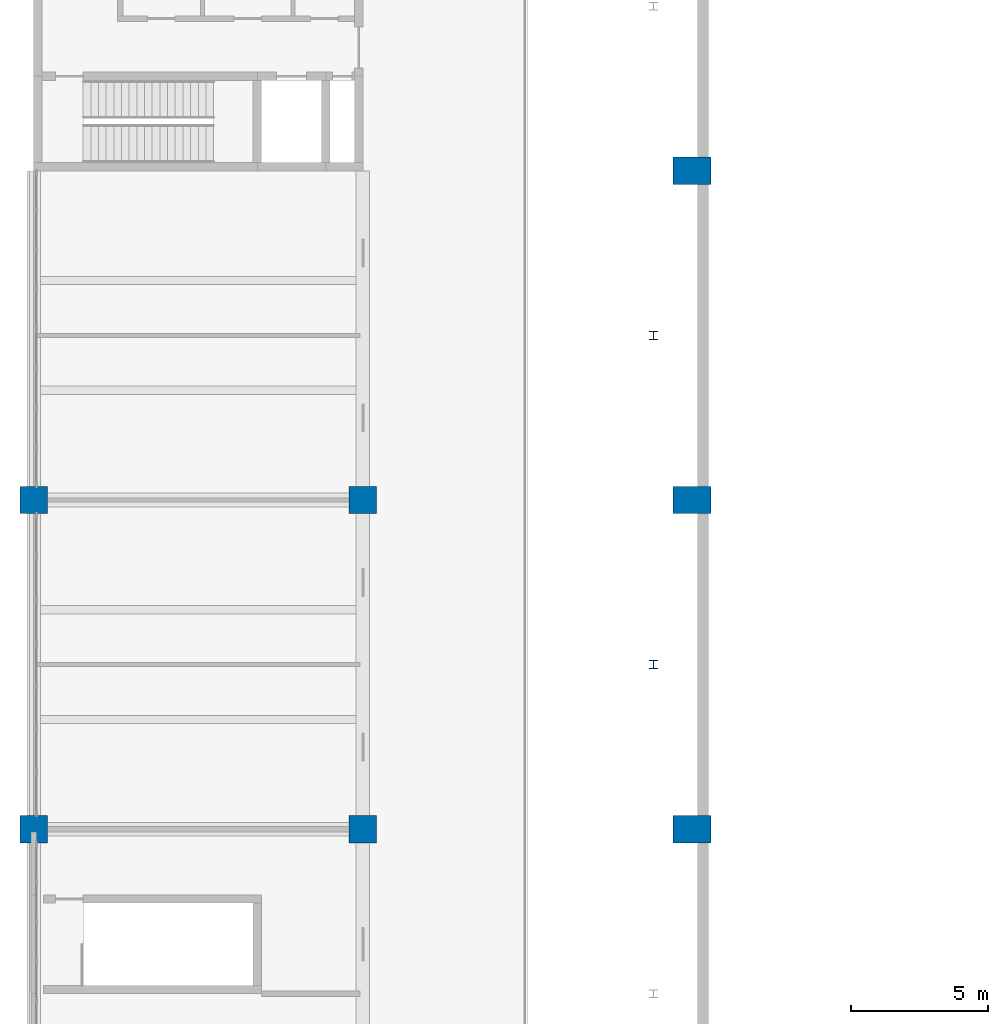
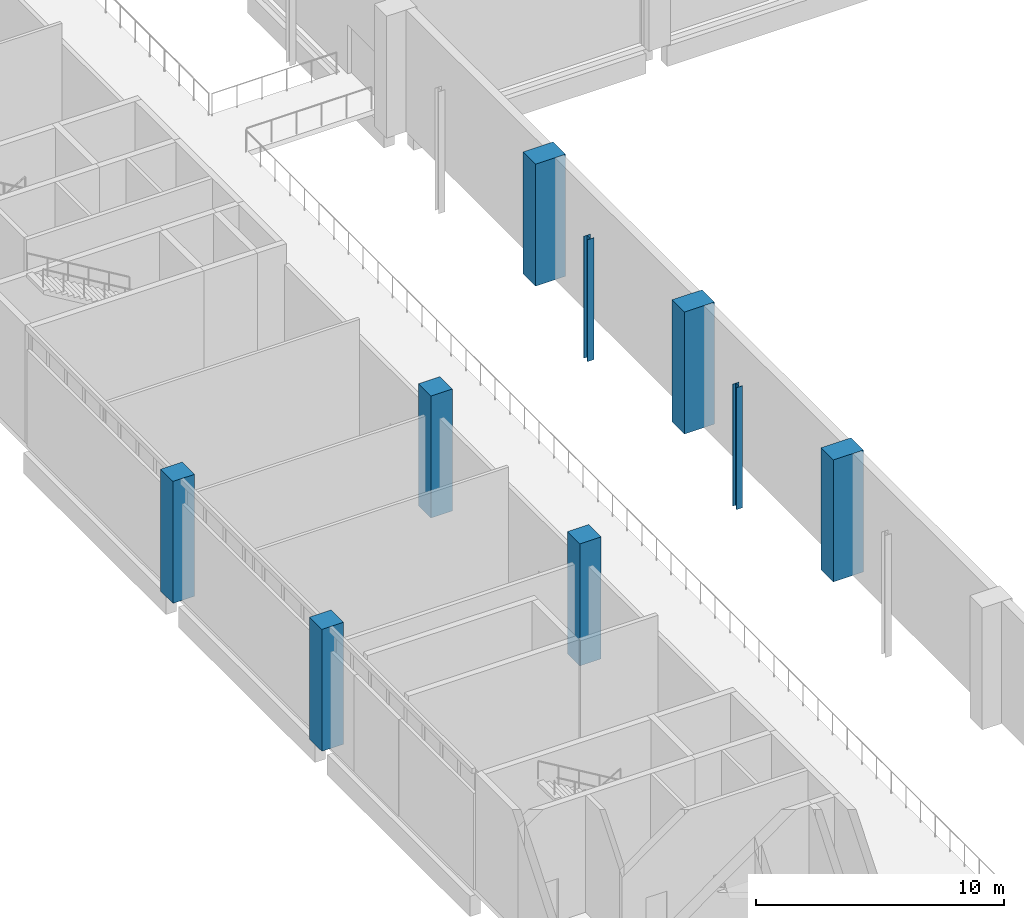
# One storey, part 2 of 72: 9 columns.
"""IFC4 building model written with IfcOpenShell, lengths in metres."""

import ifcopenshell
import ifcopenshell.guid

model = None  # the IFC model being written
_history = None  # IfcOwnerHistory: only IFC2X3 demands one
_inside = {}  # id of a spatial element -> (the spatial element, [elements in it])
_under = {}  # id of a project, library or spatial element -> (it, [spatial elements below it])
_declared = {}  # id of a project -> (the project, [libraries it declares])
_typed = {}  # id of a type object -> (the type object, [elements of that type])
_made_of = {}  # id of a material, layer set ... -> (it, [elements and type objects made of it])


def new_model(schema):
    """Start an empty IFC model of exactly this schema.

    Asked for "IFC4X3", IfcOpenShell would pick the latest addendum, in which some entities
    have other attributes; the version numbers below select the first issue.
    IFC2X3 requires an IfcOwnerHistory on every rooted entity: one is made here for all.
    """
    global model, _history
    if schema == "IFC4X3":
        model = ifcopenshell.file(schema_version=(4, 3, 0, 0))
    else:
        model = ifcopenshell.file(schema=schema)
    _inside.clear()
    _under.clear()
    _declared.clear()
    _typed.clear()
    _made_of.clear()
    _history = None
    if model.schema == "IFC2X3":
        org = make("IfcOrganization", Name="unknown")
        user = make(
            "IfcPersonAndOrganization",
            ThePerson=make("IfcPerson", FamilyName="unknown"),
            TheOrganization=org,
        )
        app = make(
            "IfcApplication",
            ApplicationDeveloper=org,
            Version="unknown",
            ApplicationFullName="unknown",
            ApplicationIdentifier="unknown",
        )
        _history = make(
            "IfcOwnerHistory",
            OwningUser=user,
            OwningApplication=app,
            ChangeAction="ADDED",
            CreationDate=0,
        )
    return model


def make(cls, **values):
    """One entity of the class cls with the attributes given. An attribute that is None is left unset."""
    return model.create_entity(
        cls, **{name: value for name, value in values.items() if value is not None}
    )


def rooted(cls, **values):
    """An entity with a GlobalId (a new one), such as an element, a storey or a relation."""
    return make(cls, GlobalId=ifcopenshell.guid.new(), OwnerHistory=_history, **values)


def si_unit(unit_type, name, prefix=None):
    """IfcSIUnit, for example si_unit("LENGTHUNIT", "METRE", prefix="MILLI")."""
    return make("IfcSIUnit", UnitType=unit_type, Prefix=prefix, Name=name)


def assignment(units):
    """IfcUnitAssignment: the units of a project."""
    return None if units is None else make("IfcUnitAssignment", Units=units)


def point(xyz):
    """IfcCartesianPoint."""
    return None if xyz is None else make("IfcCartesianPoint", Coordinates=xyz)


def direction(xyz):
    """IfcDirection."""
    return None if xyz is None else make("IfcDirection", DirectionRatios=xyz)


def frame(location, z_axis=None, x_axis=None):
    """IfcAxis2Placement3D, a coordinate frame: its origin and axes. An axis left out is left unset."""
    return make(
        "IfcAxis2Placement3D",
        Location=point(location),
        Axis=direction(z_axis),
        RefDirection=direction(x_axis),
    )


def frame_2d(location, x_axis=None):
    """IfcAxis2Placement2D, a coordinate frame in the plane: its origin and x axis."""
    return make(
        "IfcAxis2Placement2D", Location=point(location), RefDirection=direction(x_axis)
    )


def origin():
    """The frame at (0, 0, 0) with its axes left unset."""
    return frame((0.0, 0.0, 0.0))


def origin_2d():
    """The frame at (0, 0) in the plane with its x axis left unset."""
    return frame_2d((0.0, 0.0))


def place(relative_to, where):
    """IfcLocalPlacement: puts the frame where relative to a parent placement (None: the world)."""
    return make(
        "IfcLocalPlacement", PlacementRelTo=relative_to, RelativePlacement=where
    )


def context(
    kind, dimensions, precision=None, world=None, true_north=None, identifier=None
):
    """IfcGeometricRepresentationContext, for example the 3D "Model" context."""
    return make(
        "IfcGeometricRepresentationContext",
        ContextIdentifier=identifier,
        ContextType=kind,
        CoordinateSpaceDimension=dimensions,
        Precision=precision,
        WorldCoordinateSystem=world,
        TrueNorth=true_north,
    )


def subcontext(parent, identifier, kind, view, scale=None):
    """IfcGeometricRepresentationSubContext, for example "Body" below "Model"."""
    return make(
        "IfcGeometricRepresentationSubContext",
        ContextIdentifier=identifier,
        ContextType=kind,
        ParentContext=parent,
        TargetScale=scale,
        TargetView=view,
    )


def project(units=None, contexts=None):
    """IfcProject with its units and contexts."""
    return rooted(
        "IfcProject",
        Name="project",
        RepresentationContexts=contexts,
        UnitsInContext=assignment(units),
    )


def spatial(cls, under=None, at=None, **own):
    """A site, building, storey or space (cls), placed at a placement, below another one or the project."""
    s = rooted(cls, ObjectPlacement=at, **own)
    if under is not None:
        _under.setdefault(under.id(), (under, []))[1].append(s)
    return s


def profile(cls, at=None, kind="AREA", **sizes):
    """A parametric profile (cls). Its sizes go by their IFC names, for example OverallWidth=200.0."""
    return make(cls, ProfileType=kind, Position=at, **sizes)


def rectangle(**sizes):
    """IfcRectangleProfileDef."""
    return profile("IfcRectangleProfileDef", **sizes)


def i_section(**sizes):
    """IfcIShapeProfileDef."""
    return profile("IfcIShapeProfileDef", **sizes)


def extrude(swept, where, along, depth):
    """IfcExtrudedAreaSolid: the profile swept, set in the frame where, extruded along a direction by depth."""
    return make(
        "IfcExtrudedAreaSolid",
        SweptArea=swept,
        Position=where,
        ExtrudedDirection=direction(along),
        Depth=depth,
    )


def shape(context_of_items, identifier, shape_type, items):
    """IfcShapeRepresentation: the items that make up one representation, for example the "Body"."""
    return make(
        "IfcShapeRepresentation",
        ContextOfItems=context_of_items,
        RepresentationIdentifier=identifier,
        RepresentationType=shape_type,
        Items=items,
    )


def material(Name=None, Category=None):
    """IfcMaterial."""
    return make("IfcMaterial", Name=Name, Category=Category)


def material_profile(
    of_material, cross_section, Name=None, Category=None, Priority=None
):
    """IfcMaterialProfile: a cross section and its material."""
    return make(
        "IfcMaterialProfile",
        Name=Name,
        Material=of_material,
        Profile=cross_section,
        Priority=Priority,
        Category=Category,
    )


def profile_set(profiles, Name=None, composite=None):
    """IfcMaterialProfileSet."""
    return make(
        "IfcMaterialProfileSet",
        Name=Name,
        MaterialProfiles=profiles,
        CompositeProfile=composite,
    )


def made_of(thing, what):
    """Note that an element or type object is made of a material, layer set ...; save() writes the relation."""
    if what is not None:
        _made_of.setdefault(what.id(), (what, []))[1].append(thing)
    return thing


def type_object(cls, material=None, **own):
    """A type object (cls), such as IfcWallType, which elements share."""
    return made_of(rooted(cls, **own), material)


def element(
    cls,
    number,
    at=None,
    inside=None,
    cuts=None,
    type_object=None,
    material=None,
    context=None,
    identifier="Body",
    shape_type=None,
    held_by="IfcProductDefinitionShape",
    body=None,
    shapes=None,
    **own,
):
    """One element of the class cls, such as IfcWall. Its Tag is "e" and its number.

    at: its placement. inside: the storey or other place that contains it. cuts: it is an
    opening in that element (IfcRelVoidsElement). A single representation is given by context,
    identifier, shape_type and body (its items); several are given by shapes. held_by: the class
    of the entity that holds the representations. save() writes the other relations.
    """
    e = rooted(cls, Tag="e%d" % number, ObjectPlacement=at, **own)
    if body is not None:
        shapes = [shape(context, identifier, shape_type, body)]
    if shapes is not None:
        e.Representation = make(held_by, Representations=shapes)
    if inside is not None:
        _inside.setdefault(inside.id(), (inside, []))[1].append(e)
    if cuts is not None:
        rooted(
            "IfcRelVoidsElement", RelatingBuildingElement=cuts, RelatedOpeningElement=e
        )
    if type_object is not None:
        _typed.setdefault(type_object.id(), (type_object, []))[1].append(e)
    return made_of(e, material)


def aggregate(whole, parts):
    """IfcRelAggregates: a whole, such as a stair, and the parts it consists of."""
    return rooted("IfcRelAggregates", RelatingObject=whole, RelatedObjects=parts)


def save(model, path):
    """Write the relations noted so far, then the file.

    IfcRelAggregates (storeys below a building ...), IfcRelContainedInSpatialStructure (elements
    in a storey), IfcRelDefinesByType, IfcRelAssociatesMaterial and IfcRelDeclares: one each for
    every whole, place, type object, material and project.
    """
    for whole, parts in _under.values():
        aggregate(whole, parts)
    for where, things in _inside.values():
        rooted(
            "IfcRelContainedInSpatialStructure",
            RelatedElements=things,
            RelatingStructure=where,
        )
    for kind, things in _typed.values():
        rooted("IfcRelDefinesByType", RelatedObjects=things, RelatingType=kind)
    for what, things in _made_of.values():
        rooted("IfcRelAssociatesMaterial", RelatedObjects=things, RelatingMaterial=what)
    for by, libraries in _declared.values():
        rooted("IfcRelDeclares", RelatingContext=by, RelatedDefinitions=libraries)
    model.write(path)


model = new_model("IFC4")

# Units and contexts
model_context = context("Model", 3, precision=1e-05, world=origin(), true_north=direction((0.0, 1.0)))
body_context = subcontext(model_context, "Body", "Model", "MODEL_VIEW")
ifc_project = project(units=[si_unit("LENGTHUNIT", "METRE"), si_unit("AREAUNIT", "SQUARE_METRE"), si_unit("VOLUMEUNIT", "CUBIC_METRE"), si_unit("PLANEANGLEUNIT", "RADIAN"), si_unit("MASSUNIT", "GRAM", prefix="KILO")], contexts=[model_context])

# Site, building, storey
site_placement = place(None, origin())
site = spatial("IfcSite", under=ifc_project, at=site_placement, CompositionType="ELEMENT")
building_placement = place(site_placement, origin())
building = spatial("IfcBuilding", under=site, at=building_placement, Name="Lilac Gate Convention Centre", CompositionType="ELEMENT")
storey_placement = place(building_placement, frame((0.0, 0.0, 6.0)))
storey = spatial("IfcBuildingStorey", under=building, at=storey_placement, Name="L01", CompositionType="ELEMENT", Elevation=6.0)

# Columns
ifc_material_1 = material(Name="Concrete C40", Category="concrete")
ifc_material_profile_1 = material_profile(ifc_material_1, rectangle(XDim=1.0, YDim=1.0, at=origin_2d()), Name="RC 1000x1000")
ifc_profile_set_1 = profile_set([ifc_material_profile_1], Name="Concrete C40")
column_type_1 = type_object("IfcColumnType", Name="RC column 1000x1000 C40", PredefinedType="COLUMN", material=ifc_profile_set_1)
for number, where, z_axis, x_axis, name in (
    (1, (6.0, 66.0, 0.0), (0.0, 0.0, 1.0), (1.0, 0.0, 0.0), "C1 L01 at 1/D"),
    (2, (6.0, 78.0, 0.0), (0.0, 0.0, 1.0), (1.0, 0.0, 0.0), "C1 L01 at 1/E"),
    (3, (18.0, 66.0, 0.0), (0.0, 0.0, 1.0), (1.0, 0.0, 0.0), "C1 L01 at 2/D"),
    (4, (18.0, 78.0, 0.0), (0.0, 0.0, 1.0), (1.0, 0.0, 0.0), "C1 L01 at 2/E"),
):
    element("IfcColumn", number, at=place(storey_placement, frame(where, z_axis=z_axis, x_axis=x_axis)), inside=storey, type_object=column_type_1, Name=name, PredefinedType="COLUMN", context=body_context, shape_type="SweptSolid", body=[
        extrude(rectangle(XDim=1.0, YDim=1.0, at=origin_2d()), origin(), (0.0, 0.0, 1.0), 6.0),
    ])
ifc_material_profile_2 = material_profile(ifc_material_1, rectangle(XDim=1.39990234375, YDim=1.0, at=origin_2d()), Name="RC 1400x1000")
ifc_profile_set_2 = profile_set([ifc_material_profile_2], Name="Concrete C40")
column_type_2 = type_object("IfcColumnType", Name="RC hall column 1400x1000 C40", PredefinedType="COLUMN", material=ifc_profile_set_2)
for number, where, z_axis, x_axis, name in (
    (5, (30.0, 66.0, 0.0), (0.0, 0.0, 1.0), (1.0, 0.0, 0.0), "C2 L01 at 3/D"),
    (6, (30.0, 78.0, 0.0), (0.0, 0.0, 1.0), (1.0, 0.0, 0.0), "C2 L01 at 3/E"),
    (7, (30.0, 90.0, 0.0), (0.0, 0.0, 1.0), (1.0, 0.0, 0.0), "C2 L01 at 3/F"),
):
    element("IfcColumn", number, at=place(storey_placement, frame(where, z_axis=z_axis, x_axis=x_axis)), inside=storey, type_object=column_type_2, Name=name, PredefinedType="COLUMN", context=body_context, shape_type="SweptSolid", body=[
        extrude(rectangle(XDim=1.39990234375, YDim=1.0, at=origin_2d()), origin(), (0.0, 0.0, 1.0), 6.0),
    ])
ifc_material_2 = material(Name="Steel Q355B", Category="steel")
ifc_material_profile_3 = material_profile(ifc_material_2, i_section(OverallWidth=0.300048828125, OverallDepth=0.300048828125, WebThickness=0.010009765625, FlangeThickness=0.014892578125, FilletRadius=0.012939453125, at=origin_2d()), Name="HW300x300x10x15")
ifc_profile_set_3 = profile_set([ifc_material_profile_3], Name="Steel Q355B")
column_type_3 = type_object("IfcColumnType", Name="Steel column HW300x300x10x15", PredefinedType="COLUMN", material=ifc_profile_set_3)
for number, where, z_axis, x_axis, name in (
    (8, (28.60009765625, 72.0, 0.0), (0.0, 0.0, 1.0), (1.0, 0.0, 0.0), "SC1 L01 atrium column at 72"),
    (9, (28.60009765625, 84.0, 0.0), (0.0, 0.0, 1.0), (1.0, 0.0, 0.0), "SC1 L01 atrium column at 84"),
):
    element("IfcColumn", number, at=place(storey_placement, frame(where, z_axis=z_axis, x_axis=x_axis)), inside=storey, type_object=column_type_3, Name=name, PredefinedType="COLUMN", context=body_context, shape_type="SweptSolid", body=[
        extrude(i_section(OverallWidth=0.300048828125, OverallDepth=0.300048828125, WebThickness=0.010009765625, FlangeThickness=0.014892578125, FilletRadius=0.012939453125, at=origin_2d()), origin(), (0.0, 0.0, 1.0), 6.0),
    ])

save(model, "model.ifc")
